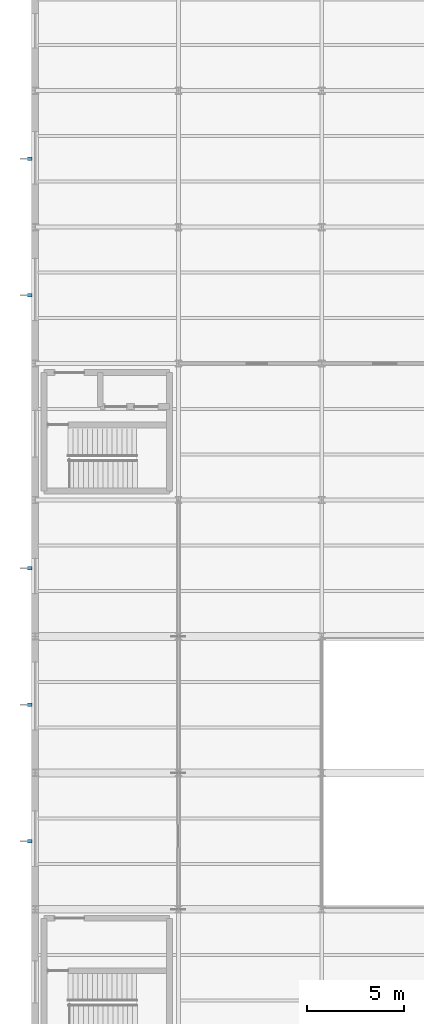
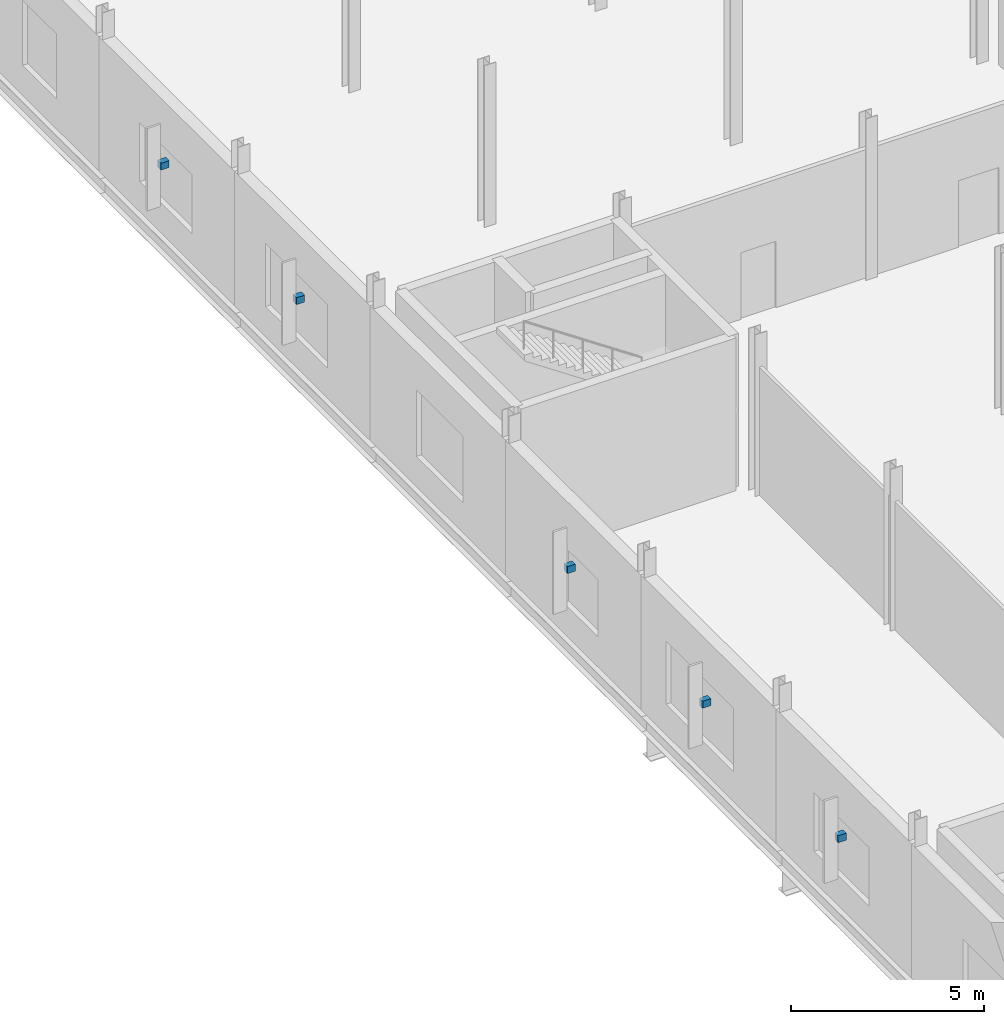
# One storey, part 210 of 218: 5 discrete accessories.
"""IFC4 building model written with IfcOpenShell, lengths in metres."""

from ifc_helpers import new_model, si_unit, direction, frame, origin, origin_2d, place, context, subcontext, project, spatial, rectangle, extrude, material, type_object, element, save


model = new_model("IFC4")

# Units and contexts
model_context = context("Model", 3, precision=1e-05, world=origin(), true_north=direction((0.0, 1.0)))
body_context = subcontext(model_context, "Body", "Model", "MODEL_VIEW")
ifc_project = project(units=[si_unit("LENGTHUNIT", "METRE"), si_unit("AREAUNIT", "SQUARE_METRE"), si_unit("VOLUMEUNIT", "CUBIC_METRE"), si_unit("PLANEANGLEUNIT", "RADIAN"), si_unit("MASSUNIT", "GRAM", prefix="KILO")], contexts=[model_context])

# Site, building, storey
site_placement = place(None, origin())
site = spatial("IfcSite", under=ifc_project, at=site_placement, CompositionType="ELEMENT")
building_placement = place(site_placement, origin())
building = spatial("IfcBuilding", under=site, at=building_placement, Name="Kazenagashi Tramway Depot", CompositionType="ELEMENT")
storey_placement = place(building_placement, frame((0.0, 0.0, 6.0)))
storey = spatial("IfcBuildingStorey", under=building, at=storey_placement, Name="L02", CompositionType="ELEMENT", Elevation=6.0)

# Discrete accessories
ifc_material = material(Name="Steel SN400B", Category="steel")
discrete_accessory_type = type_object("IfcDiscreteAccessoryType", Name="BK-01", PredefinedType="BRACKET", material=ifc_material)
for number, where, z_axis, x_axis, name in (
    (1, (-0.28, 10.5, 2.29), (0.0, 0.0, 1.0), (1.0, 0.0, 0.0), "Solar Fin Mounting Bracket 1"),
    (2, (-0.28, 17.5, 2.29), (0.0, 0.0, 1.0), (1.0, 0.0, 0.0), "Solar Fin Mounting Bracket 2"),
    (3, (-0.28, 24.5, 2.29), (0.0, 0.0, 1.0), (1.0, 0.0, 0.0), "Solar Fin Mounting Bracket 3"),
    (4, (-0.28, 38.5, 2.29), (0.0, 0.0, 1.0), (1.0, 0.0, 0.0), "Solar Fin Mounting Bracket 4"),
    (5, (-0.28, 45.5, 2.29), (0.0, 0.0, 1.0), (1.0, 0.0, 0.0), "Solar Fin Mounting Bracket 5"),
):
    element("IfcDiscreteAccessory", number, at=place(storey_placement, frame(where, z_axis=z_axis, x_axis=x_axis)), inside=storey, type_object=discrete_accessory_type, Name=name, PredefinedType="BRACKET", context=body_context, shape_type="SweptSolid", body=[
        extrude(rectangle(XDim=0.24, YDim=0.18, at=origin_2d()), origin(), (0.0, 0.0, 1.0), 0.22),
    ])

save(model, "model.ifc")
